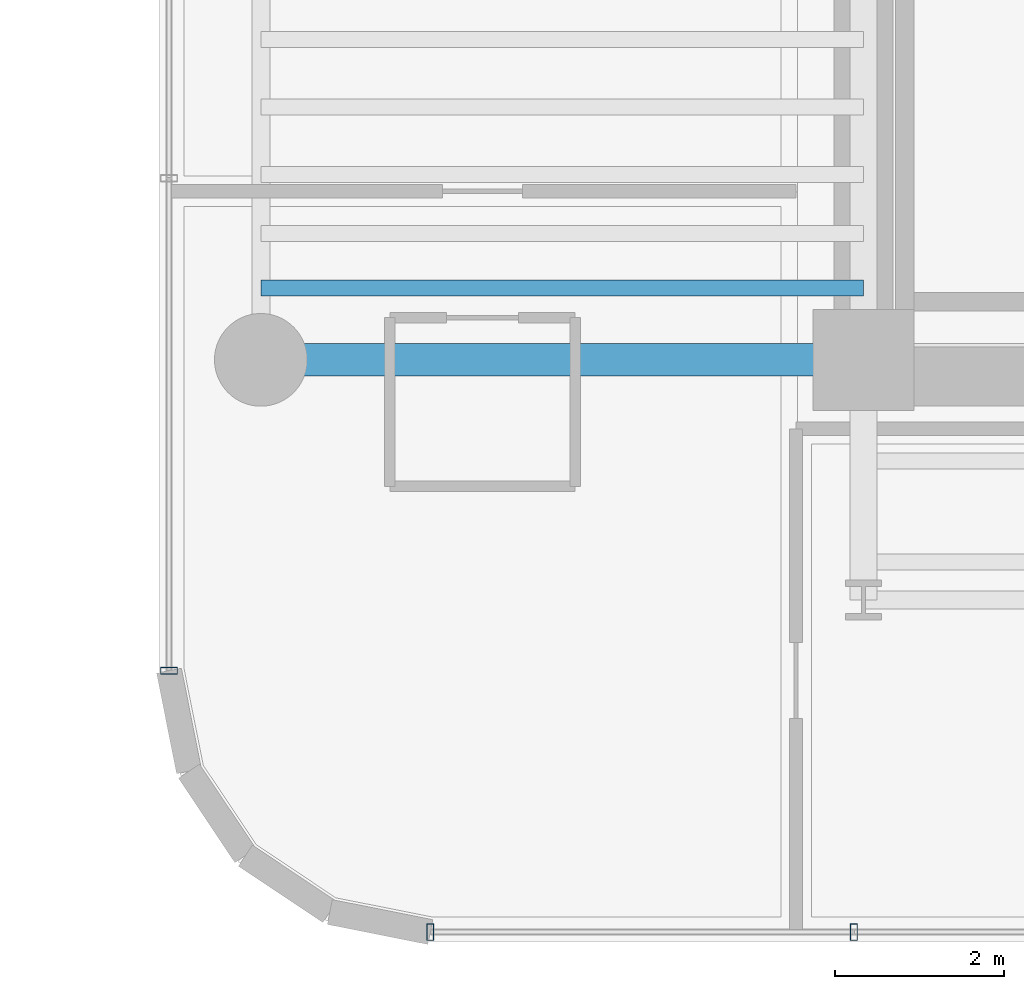
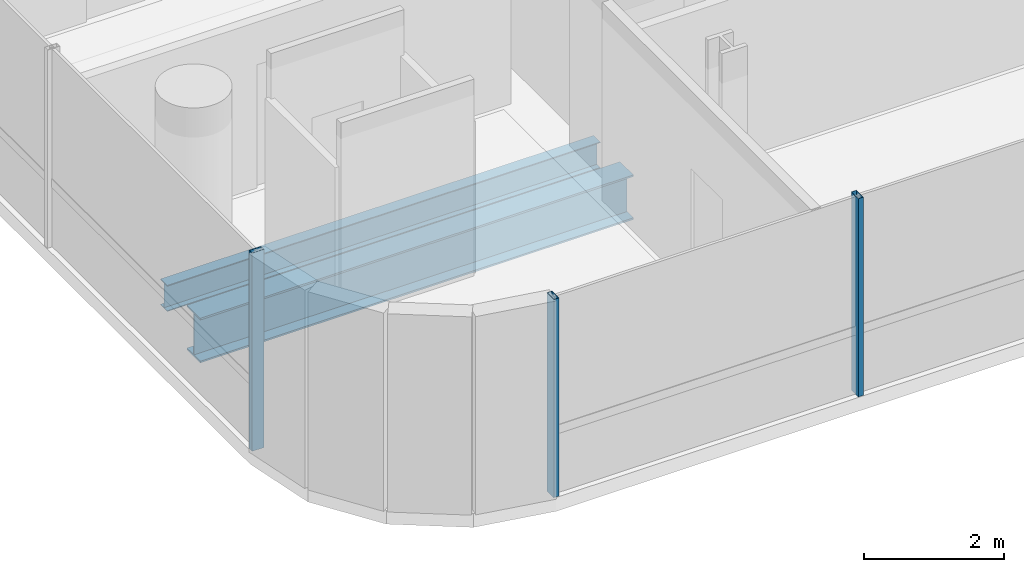
# One storey, part 2 of 35: 3 members, 2 beams, 2 elements without a shape of their own.
"""IFC4 building model written with IfcOpenShell, lengths in metres."""

import ifcopenshell
import ifcopenshell.guid

model = None  # the IFC model being written
_history = None  # IfcOwnerHistory: only IFC2X3 demands one
_inside = {}  # id of a spatial element -> (the spatial element, [elements in it])
_under = {}  # id of a project, library or spatial element -> (it, [spatial elements below it])
_declared = {}  # id of a project -> (the project, [libraries it declares])
_typed = {}  # id of a type object -> (the type object, [elements of that type])
_made_of = {}  # id of a material, layer set ... -> (it, [elements and type objects made of it])


def new_model(schema):
    """Start an empty IFC model of exactly this schema.

    Asked for "IFC4X3", IfcOpenShell would pick the latest addendum, in which some entities
    have other attributes; the version numbers below select the first issue.
    IFC2X3 requires an IfcOwnerHistory on every rooted entity: one is made here for all.
    """
    global model, _history
    if schema == "IFC4X3":
        model = ifcopenshell.file(schema_version=(4, 3, 0, 0))
    else:
        model = ifcopenshell.file(schema=schema)
    _inside.clear()
    _under.clear()
    _declared.clear()
    _typed.clear()
    _made_of.clear()
    _history = None
    if model.schema == "IFC2X3":
        org = make("IfcOrganization", Name="unknown")
        user = make(
            "IfcPersonAndOrganization",
            ThePerson=make("IfcPerson", FamilyName="unknown"),
            TheOrganization=org,
        )
        app = make(
            "IfcApplication",
            ApplicationDeveloper=org,
            Version="unknown",
            ApplicationFullName="unknown",
            ApplicationIdentifier="unknown",
        )
        _history = make(
            "IfcOwnerHistory",
            OwningUser=user,
            OwningApplication=app,
            ChangeAction="ADDED",
            CreationDate=0,
        )
    return model


def make(cls, **values):
    """One entity of the class cls with the attributes given. An attribute that is None is left unset."""
    return model.create_entity(
        cls, **{name: value for name, value in values.items() if value is not None}
    )


def rooted(cls, **values):
    """An entity with a GlobalId (a new one), such as an element, a storey or a relation."""
    return make(cls, GlobalId=ifcopenshell.guid.new(), OwnerHistory=_history, **values)


def si_unit(unit_type, name, prefix=None):
    """IfcSIUnit, for example si_unit("LENGTHUNIT", "METRE", prefix="MILLI")."""
    return make("IfcSIUnit", UnitType=unit_type, Prefix=prefix, Name=name)


def assignment(units):
    """IfcUnitAssignment: the units of a project."""
    return None if units is None else make("IfcUnitAssignment", Units=units)


def point(xyz):
    """IfcCartesianPoint."""
    return None if xyz is None else make("IfcCartesianPoint", Coordinates=xyz)


def direction(xyz):
    """IfcDirection."""
    return None if xyz is None else make("IfcDirection", DirectionRatios=xyz)


def frame(location, z_axis=None, x_axis=None):
    """IfcAxis2Placement3D, a coordinate frame: its origin and axes. An axis left out is left unset."""
    return make(
        "IfcAxis2Placement3D",
        Location=point(location),
        Axis=direction(z_axis),
        RefDirection=direction(x_axis),
    )


def frame_2d(location, x_axis=None):
    """IfcAxis2Placement2D, a coordinate frame in the plane: its origin and x axis."""
    return make(
        "IfcAxis2Placement2D", Location=point(location), RefDirection=direction(x_axis)
    )


def origin():
    """The frame at (0, 0, 0) with its axes left unset."""
    return frame((0.0, 0.0, 0.0))


def origin_2d():
    """The frame at (0, 0) in the plane with its x axis left unset."""
    return frame_2d((0.0, 0.0))


def place(relative_to, where):
    """IfcLocalPlacement: puts the frame where relative to a parent placement (None: the world)."""
    return make(
        "IfcLocalPlacement", PlacementRelTo=relative_to, RelativePlacement=where
    )


def context(
    kind, dimensions, precision=None, world=None, true_north=None, identifier=None
):
    """IfcGeometricRepresentationContext, for example the 3D "Model" context."""
    return make(
        "IfcGeometricRepresentationContext",
        ContextIdentifier=identifier,
        ContextType=kind,
        CoordinateSpaceDimension=dimensions,
        Precision=precision,
        WorldCoordinateSystem=world,
        TrueNorth=true_north,
    )


def subcontext(parent, identifier, kind, view, scale=None):
    """IfcGeometricRepresentationSubContext, for example "Body" below "Model"."""
    return make(
        "IfcGeometricRepresentationSubContext",
        ContextIdentifier=identifier,
        ContextType=kind,
        ParentContext=parent,
        TargetScale=scale,
        TargetView=view,
    )


def project(units=None, contexts=None):
    """IfcProject with its units and contexts."""
    return rooted(
        "IfcProject",
        Name="project",
        RepresentationContexts=contexts,
        UnitsInContext=assignment(units),
    )


def spatial(cls, under=None, at=None, **own):
    """A site, building, storey or space (cls), placed at a placement, below another one or the project."""
    s = rooted(cls, ObjectPlacement=at, **own)
    if under is not None:
        _under.setdefault(under.id(), (under, []))[1].append(s)
    return s


def profile(cls, at=None, kind="AREA", **sizes):
    """A parametric profile (cls). Its sizes go by their IFC names, for example OverallWidth=200.0."""
    return make(cls, ProfileType=kind, Position=at, **sizes)


def hollow_rectangle(**sizes):
    """IfcRectangleHollowProfileDef."""
    return profile("IfcRectangleHollowProfileDef", **sizes)


def i_section(**sizes):
    """IfcIShapeProfileDef."""
    return profile("IfcIShapeProfileDef", **sizes)


def extrude(swept, where, along, depth):
    """IfcExtrudedAreaSolid: the profile swept, set in the frame where, extruded along a direction by depth."""
    return make(
        "IfcExtrudedAreaSolid",
        SweptArea=swept,
        Position=where,
        ExtrudedDirection=direction(along),
        Depth=depth,
    )


def shape(context_of_items, identifier, shape_type, items):
    """IfcShapeRepresentation: the items that make up one representation, for example the "Body"."""
    return make(
        "IfcShapeRepresentation",
        ContextOfItems=context_of_items,
        RepresentationIdentifier=identifier,
        RepresentationType=shape_type,
        Items=items,
    )


def source(mapping_origin, context_of_items, identifier, shape_type, items):
    """IfcRepresentationMap: a shape defined once, which mapped items show again and again."""
    return make(
        "IfcRepresentationMap",
        MappingOrigin=mapping_origin,
        MappedRepresentation=shape(context_of_items, identifier, shape_type, items),
    )


def transform(
    local_origin,
    x_axis=None,
    y_axis=None,
    z_axis=None,
    scale=None,
    scale2=None,
    scale3=None,
    uniform=True,
):
    """IfcCartesianTransformationOperator3D, or its non-uniform kind. x_axis, y_axis, z_axis: its Axis1, 2, 3."""
    if uniform:
        return make(
            "IfcCartesianTransformationOperator3D",
            Axis1=direction(x_axis),
            Axis2=direction(y_axis),
            LocalOrigin=point(local_origin),
            Scale=scale,
            Axis3=direction(z_axis),
        )
    return make(
        "IfcCartesianTransformationOperator3DnonUniform",
        Axis1=direction(x_axis),
        Axis2=direction(y_axis),
        LocalOrigin=point(local_origin),
        Scale=scale,
        Axis3=direction(z_axis),
        Scale2=scale2,
        Scale3=scale3,
    )


def mapped(mapping_source, mapping_target):
    """IfcMappedItem: shows the shape of a source again, moved by a transform."""
    return make(
        "IfcMappedItem", MappingSource=mapping_source, MappingTarget=mapping_target
    )


def material(Name=None, Category=None):
    """IfcMaterial."""
    return make("IfcMaterial", Name=Name, Category=Category)


def material_profile(
    of_material, cross_section, Name=None, Category=None, Priority=None
):
    """IfcMaterialProfile: a cross section and its material."""
    return make(
        "IfcMaterialProfile",
        Name=Name,
        Material=of_material,
        Profile=cross_section,
        Priority=Priority,
        Category=Category,
    )


def profile_set(profiles, Name=None, composite=None):
    """IfcMaterialProfileSet."""
    return make(
        "IfcMaterialProfileSet",
        Name=Name,
        MaterialProfiles=profiles,
        CompositeProfile=composite,
    )


def made_of(thing, what):
    """Note that an element or type object is made of a material, layer set ...; save() writes the relation."""
    if what is not None:
        _made_of.setdefault(what.id(), (what, []))[1].append(thing)
    return thing


def type_object(cls, material=None, **own):
    """A type object (cls), such as IfcWallType, which elements share."""
    return made_of(rooted(cls, **own), material)


def element(
    cls,
    number,
    at=None,
    inside=None,
    cuts=None,
    type_object=None,
    material=None,
    context=None,
    identifier="Body",
    shape_type=None,
    held_by="IfcProductDefinitionShape",
    body=None,
    shapes=None,
    **own,
):
    """One element of the class cls, such as IfcWall. Its Tag is "e" and its number.

    at: its placement. inside: the storey or other place that contains it. cuts: it is an
    opening in that element (IfcRelVoidsElement). A single representation is given by context,
    identifier, shape_type and body (its items); several are given by shapes. held_by: the class
    of the entity that holds the representations. save() writes the other relations.
    """
    e = rooted(cls, Tag="e%d" % number, ObjectPlacement=at, **own)
    if body is not None:
        shapes = [shape(context, identifier, shape_type, body)]
    if shapes is not None:
        e.Representation = make(held_by, Representations=shapes)
    if inside is not None:
        _inside.setdefault(inside.id(), (inside, []))[1].append(e)
    if cuts is not None:
        rooted(
            "IfcRelVoidsElement", RelatingBuildingElement=cuts, RelatedOpeningElement=e
        )
    if type_object is not None:
        _typed.setdefault(type_object.id(), (type_object, []))[1].append(e)
    return made_of(e, material)


def aggregate(whole, parts):
    """IfcRelAggregates: a whole, such as a stair, and the parts it consists of."""
    return rooted("IfcRelAggregates", RelatingObject=whole, RelatedObjects=parts)


def save(model, path):
    """Write the relations noted so far, then the file.

    IfcRelAggregates (storeys below a building ...), IfcRelContainedInSpatialStructure (elements
    in a storey), IfcRelDefinesByType, IfcRelAssociatesMaterial and IfcRelDeclares: one each for
    every whole, place, type object, material and project.
    """
    for whole, parts in _under.values():
        aggregate(whole, parts)
    for where, things in _inside.values():
        rooted(
            "IfcRelContainedInSpatialStructure",
            RelatedElements=things,
            RelatingStructure=where,
        )
    for kind, things in _typed.values():
        rooted("IfcRelDefinesByType", RelatedObjects=things, RelatingType=kind)
    for what, things in _made_of.values():
        rooted("IfcRelAssociatesMaterial", RelatedObjects=things, RelatingMaterial=what)
    for by, libraries in _declared.values():
        rooted("IfcRelDeclares", RelatingContext=by, RelatedDefinitions=libraries)
    model.write(path)


model = new_model("IFC4")

# Units and contexts
model_context = context("Model", 3, precision=1e-05, world=origin(), true_north=direction((0.0, 1.0)))
body_context = subcontext(model_context, "Body", "Model", "MODEL_VIEW")
ifc_project = project(units=[si_unit("LENGTHUNIT", "METRE"), si_unit("AREAUNIT", "SQUARE_METRE"), si_unit("VOLUMEUNIT", "CUBIC_METRE"), si_unit("PLANEANGLEUNIT", "RADIAN"), si_unit("MASSUNIT", "GRAM", prefix="KILO")], contexts=[model_context])

# Site, building, storey
site_placement = place(None, origin())
site = spatial("IfcSite", under=ifc_project, at=site_placement, CompositionType="ELEMENT")
building_placement = place(site_placement, origin())
building = spatial("IfcBuilding", under=site, at=building_placement, Name="Valdorenza Pilgrim Sanctuary Tower", CompositionType="ELEMENT")
storey_placement = place(building_placement, frame((0.0, 0.0, 113.10009765625)))
storey = spatial("IfcBuildingStorey", under=building, at=storey_placement, Name="L28", CompositionType="ELEMENT", Elevation=113.10009765625)

# Beams
ifc_material_1 = material(Name="Steel ASTM A992 Grade 50", Category="steel")
ifc_material_profile_1 = material_profile(ifc_material_1, i_section(OverallWidth=0.382080078125, OverallDepth=0.779052734375, WebThickness=0.01806640625, FlangeThickness=0.030029296875, at=origin_2d()), Name="W30X191")
ifc_profile_set_1 = profile_set([ifc_material_profile_1], Name="Steel ASTM A992 Grade 50")
beam_type_1 = type_object("IfcBeamType", Name="STR-BM-GRD-W30", PredefinedType="BEAM", material=ifc_profile_set_1)
shared_shape_1 = source(origin(), body_context, "Body", "SweptSolid", [
    extrude(i_section(OverallWidth=0.382080078125, OverallDepth=0.779052734375, WebThickness=0.01806640625, FlangeThickness=0.030029296875, at=origin_2d()), origin(), (0.0, 0.0, 1.0), 7.150146484375),
])
beam_1_placement = place(storey_placement, frame((-29.800048828125, -10.60009765625, -0.629638671875), z_axis=(1.0, 0.0, 0.0), x_axis=(0.0, 1.0, 0.0)))
element("IfcBeam", 1, at=beam_1_placement, inside=storey, type_object=beam_type_1, Name="L28 Floor Girder WA-XW-S1", PredefinedType="BEAM", context=body_context, shape_type="MappedRepresentation", body=[
    mapped(shared_shape_1, transform((0.0, 0.0, 0.0), x_axis=(1.0, 0.0, 0.0), y_axis=(0.0, 1.0, 0.0), z_axis=(0.0, 0.0, 1.0), scale=1.0)),
])
ifc_material_profile_2 = material_profile(ifc_material_1, i_section(OverallWidth=0.19091796875, OverallDepth=0.45703125, WebThickness=0.009033203125, FlangeThickness=0.014404296875, at=origin_2d()), Name="W18X50")
ifc_profile_set_2 = profile_set([ifc_material_profile_2], Name="Steel ASTM A992 Grade 50")
beam_type_2 = type_object("IfcBeamType", Name="STR-BM-JST-W18B", PredefinedType="JOIST", material=ifc_profile_set_2)
shared_shape_2 = source(origin(), body_context, "Body", "SweptSolid", [
    extrude(i_section(OverallWidth=0.19091796875, OverallDepth=0.45703125, WebThickness=0.009033203125, FlangeThickness=0.014404296875, at=origin_2d()), origin(), (0.0, 0.0, 1.0), 7.150146484375),
])
beam_2_placement = place(storey_placement, frame((-29.800048828125, -9.75, -0.468505859375), z_axis=(1.0, 0.0, 0.0), x_axis=(0.0, 1.0, 0.0)))
element("IfcBeam", 2, at=beam_2_placement, inside=storey, type_object=beam_type_2, Name="L28 Composite Floor Joist JST-WA-1", PredefinedType="JOIST", context=body_context, shape_type="MappedRepresentation", body=[
    mapped(shared_shape_2, transform((0.0, 0.0, 0.0), x_axis=(1.0, 0.0, 0.0), y_axis=(0.0, 1.0, 0.0), z_axis=(0.0, 0.0, 1.0), scale=1.0)),
])

# Curtain wall, member
ifc_material_2 = material(Name="Curtain-wall IGU glazing", Category="glass")
curtain_wall_type = type_object("IfcCurtainWallType", Name="CW-SYS-02", PredefinedType="NOTDEFINED", material=ifc_material_2)
curtain_wall_1_placement = place(storey_placement, origin())
curtain_wall_1 = element("IfcCurtainWall", 3, at=curtain_wall_1_placement, inside=storey, type_object=curtain_wall_type, Name="L28 Curtain Wall CW-L28-1-1S1", PredefinedType="NOTDEFINED")
ifc_material_3 = material(Name="Anodised aluminium AW-6060", Category="aluminium")
ifc_material_profile_3 = material_profile(ifc_material_3, hollow_rectangle(XDim=0.0849609375, YDim=0.199951171875, WallThickness=0.0048828125, at=origin_2d()), Name="ALU-M 200x85x5")
ifc_profile_set_3 = profile_set([ifc_material_profile_3], Name="Anodised aluminium AW-6060")
member_type = type_object("IfcMemberType", Name="CW-MUL-02", PredefinedType="MULLION", material=ifc_profile_set_3)
shared_shape_3 = source(origin(), body_context, "Body", "SweptSolid", [
    extrude(hollow_rectangle(XDim=0.0849609375, YDim=0.199951171875, WallThickness=0.0048828125, at=origin_2d()), origin(), (0.0, 0.0, 1.0), 3.4599609375),
])
member_1_placement = place(storey_placement, frame((-30.889892578125, -14.289306640625, 0.0), z_axis=(0.0, 0.0, 1.0), x_axis=(0.0, 1.0, 0.0)))
member_1 = element("IfcMember", 4, at=member_1_placement, type_object=member_type, Name="CW-L28-1-1S1 Mullion 1", PredefinedType="MULLION", context=body_context, shape_type="MappedRepresentation", body=[
    mapped(shared_shape_3, transform((0.0, 0.0, 0.0), x_axis=(1.0, 0.0, 0.0), y_axis=(0.0, 1.0, 0.0), z_axis=(0.0, 0.0, 1.0), scale=1.0)),
])
aggregate(curtain_wall_1, [member_1])

# Curtain wall, members
curtain_wall_2_placement = place(storey_placement, origin())
curtain_wall_2 = element("IfcCurtainWall", 5, at=curtain_wall_2_placement, inside=storey, type_object=curtain_wall_type, Name="L28 Curtain Wall CW-L28-1-46", PredefinedType="NOTDEFINED")
member_2_placement = place(storey_placement, frame((-22.76318359375, -17.389892578125, 0.0), z_axis=(0.0, 0.0, 1.0), x_axis=(-1.0, 0.0, 0.0)))
member_2 = element("IfcMember", 6, at=member_2_placement, type_object=member_type, Name="CW-L28-1-46 Mullion 3", PredefinedType="MULLION", context=body_context, shape_type="MappedRepresentation", body=[
    mapped(shared_shape_3, transform((0.0, 0.0, 0.0), x_axis=(1.0, 0.0, 0.0), y_axis=(0.0, 1.0, 0.0), z_axis=(0.0, 0.0, 1.0), scale=1.0)),
])
member_3_placement = place(storey_placement, frame((-27.789306640625, -17.389892578125, 0.0), z_axis=(0.0, 0.0, 1.0), x_axis=(-1.0, 0.0, 0.0)))
member_3 = element("IfcMember", 7, at=member_3_placement, type_object=member_type, Name="CW-L28-1-46 Mullion 4", PredefinedType="MULLION", context=body_context, shape_type="MappedRepresentation", body=[
    mapped(shared_shape_3, transform((0.0, 0.0, 0.0), x_axis=(1.0, 0.0, 0.0), y_axis=(0.0, 1.0, 0.0), z_axis=(0.0, 0.0, 1.0), scale=1.0)),
])
aggregate(curtain_wall_2, [member_2, member_3])

save(model, "model.ifc")
